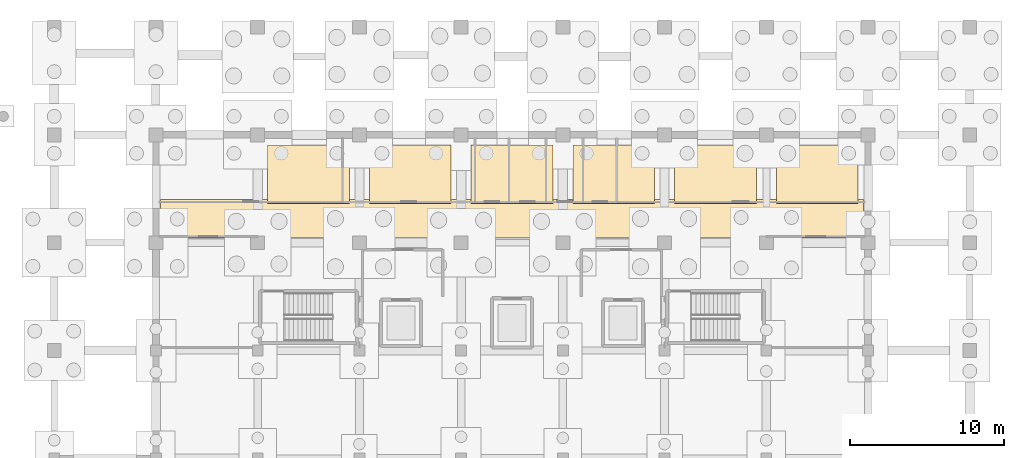
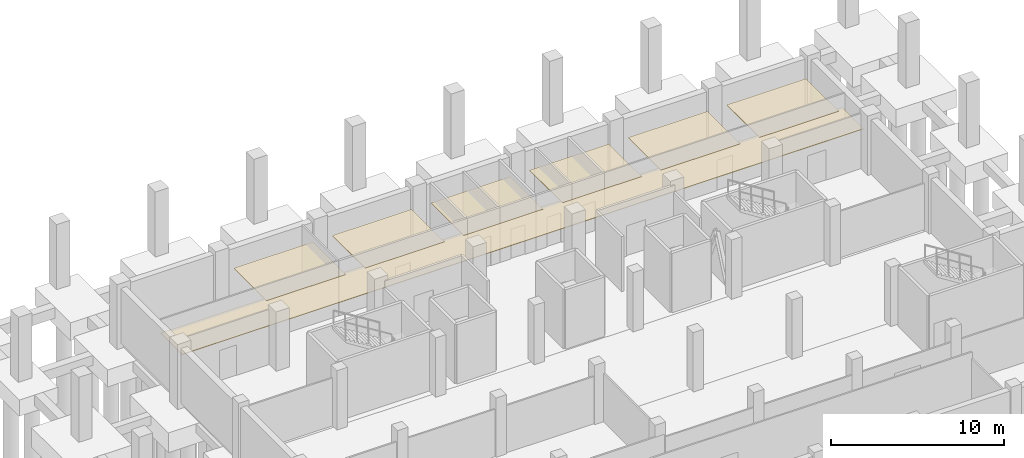
# One storey, part 26 of 27: 7 coverings.
"""IFC4 building model written with IfcOpenShell, lengths in metres."""

from ifc_helpers import new_model, si_unit, direction, frame, origin, place, context, subcontext, project, spatial, polyline, outline, extrude, material, layer, layer_set, type_object, element, save


model = new_model("IFC4")

# Units and contexts
model_context = context("Model", 3, precision=1e-05, world=origin(), true_north=direction((0.0, 1.0)))
body_context = subcontext(model_context, "Body", "Model", "MODEL_VIEW")
ifc_project = project(units=[si_unit("LENGTHUNIT", "METRE"), si_unit("AREAUNIT", "SQUARE_METRE"), si_unit("VOLUMEUNIT", "CUBIC_METRE"), si_unit("PLANEANGLEUNIT", "RADIAN"), si_unit("MASSUNIT", "GRAM", prefix="KILO")], contexts=[model_context])

# Site, building, storey
site_placement = place(None, origin())
site = spatial("IfcSite", under=ifc_project, at=site_placement, CompositionType="ELEMENT")
building_placement = place(site_placement, origin())
building = spatial("IfcBuilding", under=site, at=building_placement, Name="Ciguamira Faculty of Natural Sciences", CompositionType="ELEMENT")
storey_placement = place(building_placement, frame((0.0, 0.0, -4.199951171875)))
storey = spatial("IfcBuildingStorey", under=building, at=storey_placement, Name="B1", CompositionType="ELEMENT", Elevation=-4.199951171875)

# Coverings
ifc_material = material(Name="Perforated white acoustic ceiling")
ifc_layer = layer(ifc_material, 0.0400390625, Name="Perforated white acoustic ceiling")
ifc_layer_set = layer_set([ifc_layer], Name="Perforated white acoustic ceiling")
covering_type = type_object("IfcCoveringType", Name="AcousticCeiling_AC01", PredefinedType="CEILING", material=ifc_layer_set)
covering_1_placement = place(storey_placement, frame((0.0, 0.0, 2.760009765625)))
element("IfcCovering", 1, at=covering_1_placement, inside=storey, type_object=covering_type, Name="B1 corridor acoustic ceiling", PredefinedType="CEILING", context=body_context, shape_type="SweptSolid", body=[
    extrude(outline(polyline([(64.199951171875, 101.300048828125), (109.800048828125, 101.300048828125), (109.800048828125, 103.800048828125), (64.199951171875, 103.800048828125), (64.199951171875, 101.300048828125)])), origin(), (0.0, 0.0, 1.0), 0.0400390625),
])
covering_2_placement = place(storey_placement, frame((0.0, 0.0, 2.760009765625)))
element("IfcCovering", 2, at=covering_2_placement, inside=storey, type_object=covering_type, Name="B1 research bay 01 acoustic ceiling", PredefinedType="CEILING", context=body_context, shape_type="SweptSolid", body=[
    extrude(outline(polyline([(71.14990234375, 103.550048828125), (76.449951171875, 103.550048828125), (76.449951171875, 107.35009765625), (71.14990234375, 107.35009765625), (71.14990234375, 103.550048828125)])), origin(), (0.0, 0.0, 1.0), 0.0400390625),
])
covering_3_placement = place(storey_placement, frame((0.0, 0.0, 2.760009765625)))
element("IfcCovering", 3, at=covering_3_placement, inside=storey, type_object=covering_type, Name="B1 research bay 02 acoustic ceiling", PredefinedType="CEILING", context=body_context, shape_type="SweptSolid", body=[
    extrude(outline(polyline([(77.75, 103.550048828125), (83.050048828125, 103.550048828125), (83.050048828125, 107.35009765625), (77.75, 107.35009765625), (77.75, 103.550048828125)])), origin(), (0.0, 0.0, 1.0), 0.0400390625),
])
covering_4_placement = place(storey_placement, frame((0.0, 0.0, 2.760009765625)))
element("IfcCovering", 4, at=covering_4_placement, inside=storey, type_object=covering_type, Name="B1 research bay 03 acoustic ceiling", PredefinedType="CEILING", context=body_context, shape_type="SweptSolid", body=[
    extrude(outline(polyline([(84.35009765625, 103.550048828125), (89.64990234375, 103.550048828125), (89.64990234375, 107.35009765625), (84.35009765625, 107.35009765625), (84.35009765625, 103.550048828125)])), origin(), (0.0, 0.0, 1.0), 0.0400390625),
])
covering_5_placement = place(storey_placement, frame((0.0, 0.0, 2.760009765625)))
element("IfcCovering", 5, at=covering_5_placement, inside=storey, type_object=covering_type, Name="B1 research bay 04 acoustic ceiling", PredefinedType="CEILING", context=body_context, shape_type="SweptSolid", body=[
    extrude(outline(polyline([(90.949951171875, 103.550048828125), (96.25, 103.550048828125), (96.25, 107.35009765625), (90.949951171875, 107.35009765625), (90.949951171875, 103.550048828125)])), origin(), (0.0, 0.0, 1.0), 0.0400390625),
])
covering_6_placement = place(storey_placement, frame((0.0, 0.0, 2.760009765625)))
element("IfcCovering", 6, at=covering_6_placement, inside=storey, type_object=covering_type, Name="B1 research bay 05 acoustic ceiling", PredefinedType="CEILING", context=body_context, shape_type="SweptSolid", body=[
    extrude(outline(polyline([(97.550048828125, 103.550048828125), (102.85009765625, 103.550048828125), (102.85009765625, 107.35009765625), (97.550048828125, 107.35009765625), (97.550048828125, 103.550048828125)])), origin(), (0.0, 0.0, 1.0), 0.0400390625),
])
covering_7_placement = place(storey_placement, frame((0.0, 0.0, 2.760009765625)))
element("IfcCovering", 7, at=covering_7_placement, inside=storey, type_object=covering_type, Name="B1 research bay 06 acoustic ceiling", PredefinedType="CEILING", context=body_context, shape_type="SweptSolid", body=[
    extrude(outline(polyline([(104.14990234375, 103.550048828125), (109.449951171875, 103.550048828125), (109.449951171875, 107.35009765625), (104.14990234375, 107.35009765625), (104.14990234375, 103.550048828125)])), origin(), (0.0, 0.0, 1.0), 0.0400390625),
])

save(model, "model.ifc")
